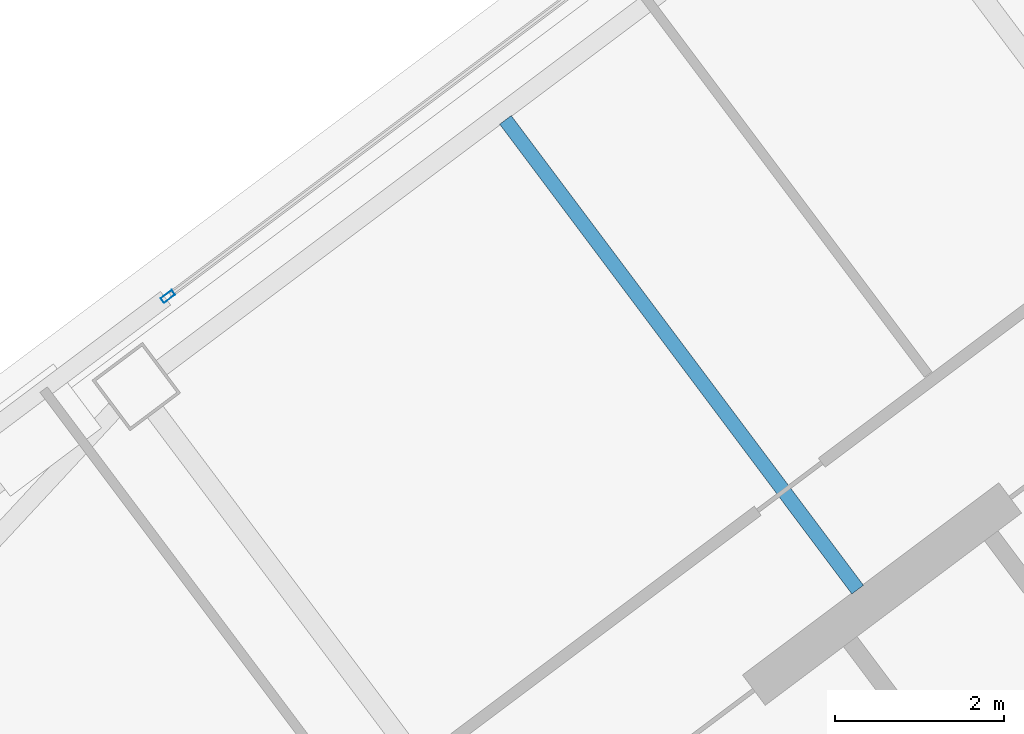
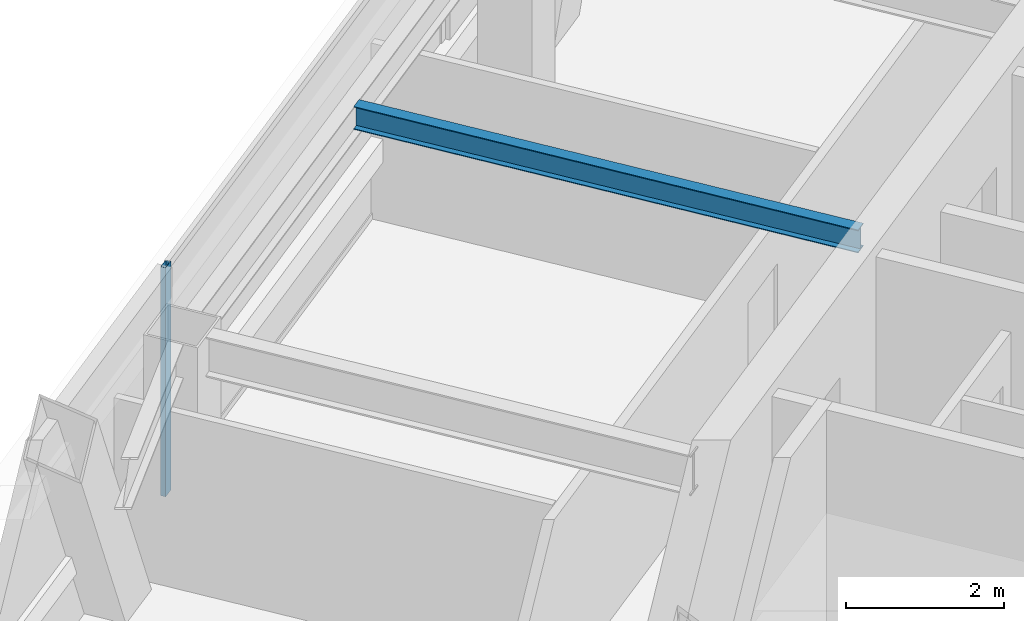
# One storey, part 34 of 56: 1 beam, 1 member, 1 element without a shape of its own.
"""IFC4 building model written with IfcOpenShell, lengths in metres."""

from ifc_helpers import new_model, si_unit, direction, frame, origin, origin_2d, place, context, subcontext, project, spatial, hollow_rectangle, i_section, extrude, material, material_profile, profile_set, type_object, element, aggregate, save


model = new_model("IFC4")

# Units and contexts
model_context = context("Model", 3, precision=1e-05, world=origin(), true_north=direction((0.0, 1.0)))
body_context = subcontext(model_context, "Body", "Model", "MODEL_VIEW")
ifc_project = project(units=[si_unit("LENGTHUNIT", "METRE"), si_unit("AREAUNIT", "SQUARE_METRE"), si_unit("VOLUMEUNIT", "CUBIC_METRE"), si_unit("PLANEANGLEUNIT", "RADIAN"), si_unit("MASSUNIT", "GRAM", prefix="KILO")], contexts=[model_context])

# Site, building, storey
site_placement = place(None, origin())
site = spatial("IfcSite", under=ifc_project, at=site_placement, CompositionType="ELEMENT")
building_placement = place(site_placement, origin())
building = spatial("IfcBuilding", under=site, at=building_placement, Name="Tashvorn Skyway Center", CompositionType="ELEMENT")
storey_placement = place(building_placement, frame((0.0, 0.0, 218.39990234375)))
storey = spatial("IfcBuildingStorey", under=building, at=storey_placement, Name="L59", CompositionType="ELEMENT", Elevation=218.39990234375)

# Beam
ifc_material_1 = material(Name="Steel ASTM A992 Grade 50", Category="steel")
ifc_material_profile_1 = material_profile(ifc_material_1, i_section(OverallWidth=0.1708984375, OverallDepth=0.35498046875, WebThickness=0.007080078125, FlangeThickness=0.01171875, at=origin_2d()), Name="W14X34")
ifc_profile_set_1 = profile_set([ifc_material_profile_1], Name="Steel ASTM A992 Grade 50")
beam_type = type_object("IfcBeamType", Name="BM-JOIST-W14X34", PredefinedType="JOIST", material=ifc_profile_set_1)
beam_placement = place(storey_placement, frame((109.325927734375, 38.23193359375, 3.192626953125), z_axis=(-0.599994389612, 0.800004207761, 0.0), x_axis=(-0.800004207761, -0.599994389612, 0.0)))
element("IfcBeam", 1, at=beam_placement, inside=storey, type_object=beam_type, Name="Tower 2 L59 Secondary Composite Joist JN", PredefinedType="JOIST", context=body_context, shape_type="SweptSolid", body=[
    extrude(i_section(OverallWidth=0.1708984375, OverallDepth=0.35498046875, WebThickness=0.007080078125, FlangeThickness=0.01171875, at=origin_2d()), origin(), (0.0, 0.0, 1.0), 6.962646484375),
])

# Curtain wall, member
ifc_material_2 = material(Name="Thermally broken bronze-anodized aluminium 6063-T6", Category="aluminium")
curtain_wall_type = type_object("IfcCurtainWallType", Name="CW-CW-Z5", PredefinedType="NOTDEFINED", material=ifc_material_2)
curtain_wall_placement = place(storey_placement, origin())
curtain_wall = element("IfcCurtainWall", 2, at=curtain_wall_placement, inside=storey, type_object=curtain_wall_type, Name="Tower 2 L59 North Unitised Curtain Wall Glazing Group 2", PredefinedType="NOTDEFINED")
ifc_material_profile_2 = material_profile(ifc_material_2, hollow_rectangle(XDim=0.070068359375, YDim=0.1650390625, WallThickness=0.00390625, at=origin_2d()), Name="ALU-MULL-70x165")
ifc_profile_set_2 = profile_set([ifc_material_profile_2], Name="Thermally broken bronze-anodized aluminium 6063-T6")
member_type = type_object("IfcMemberType", Name="CWM-CW-Z5", PredefinedType="MULLION", material=ifc_profile_set_2)
member_placement = place(storey_placement, frame((101.145263671875, 41.708984375, 0.0), z_axis=(0.0, 0.0, 1.0), x_axis=(-0.599996439189, 0.800002670596, 0.0)))
member = element("IfcMember", 3, at=member_placement, type_object=member_type, Name="CW-Z5 mullion 1", PredefinedType="MULLION", context=body_context, shape_type="SweptSolid", body=[
    extrude(hollow_rectangle(XDim=0.070068359375, YDim=0.1650390625, WallThickness=0.00390625, at=origin_2d()), origin(), (0.0, 0.0, 1.0), 3.550048828125),
])
aggregate(curtain_wall, [member])

save(model, "model.ifc")
